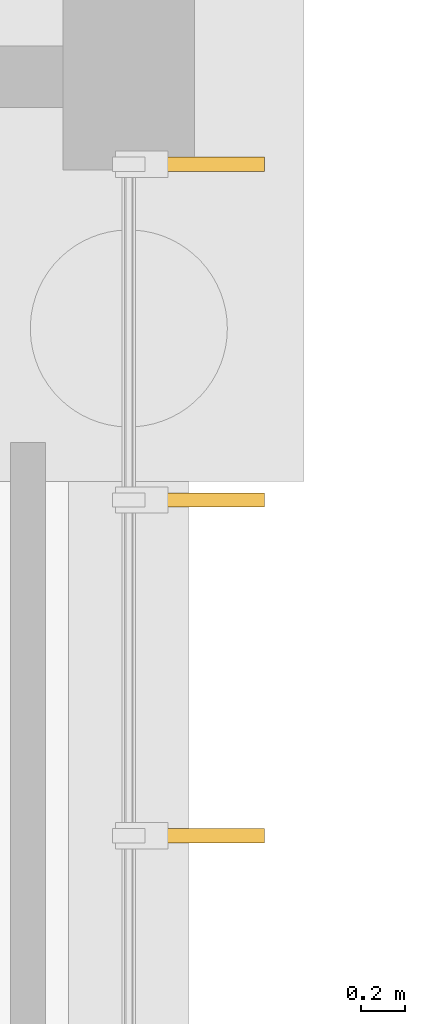
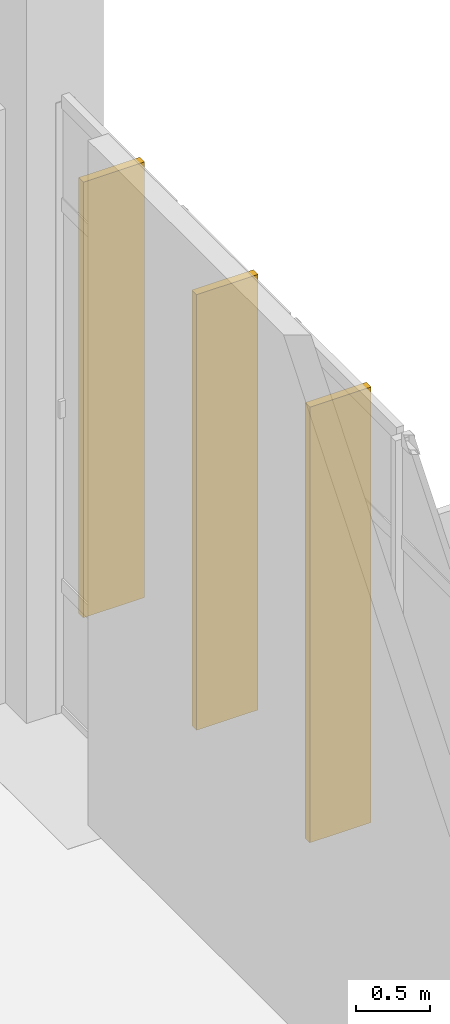
# One storey, part 137 of 140: 3 shading devices.
"""IFC4 building model written with IfcOpenShell, lengths in metres."""

from ifc_helpers import new_model, si_unit, direction, frame, origin, origin_2d, place, context, subcontext, project, spatial, rectangle, extrude, material, type_object, element, save


model = new_model("IFC4")

# Units and contexts
model_context = context("Model", 3, precision=1e-05, world=origin(), true_north=direction((0.0, 1.0)))
body_context = subcontext(model_context, "Body", "Model", "MODEL_VIEW")
ifc_project = project(units=[si_unit("LENGTHUNIT", "METRE"), si_unit("AREAUNIT", "SQUARE_METRE"), si_unit("VOLUMEUNIT", "CUBIC_METRE"), si_unit("PLANEANGLEUNIT", "RADIAN"), si_unit("MASSUNIT", "GRAM", prefix="KILO")], contexts=[model_context])

# Site, building, storey
site_placement = place(None, origin())
site = spatial("IfcSite", under=ifc_project, at=site_placement, CompositionType="ELEMENT")
building_placement = place(site_placement, origin())
building = spatial("IfcBuilding", under=site, at=building_placement, Name="Corvandel Quay Wholesale Market", CompositionType="ELEMENT")
storey_placement = place(building_placement, origin())
storey = spatial("IfcBuildingStorey", under=building, at=storey_placement, Name="L00", CompositionType="ELEMENT", Elevation=0.0)

# Shading devices
ifc_material = material(Name="Bronze anodised extruded aluminium 6063-T6", Category="aluminium")
shading_device_type = type_object("IfcShadingDeviceType", Name="Vertical Anodised Bronze Solar Fin FN01 480mm", PredefinedType="JALOUSIE", material=ifc_material)
for number, where, z_axis, x_axis, name in (
    (1, (248.3798828125, 106.533203125, 0.724853515625), (0.0, 0.0, 1.0), (1.0, 0.0, 0.0), "Solar Fin 0629"),
    (2, (248.3798828125, 108.066650390625, 0.724853515625), (0.0, 0.0, 1.0), (1.0, 0.0, 0.0), "Solar Fin 0630"),
    (3, (248.3798828125, 109.60009765625, 0.724853515625), (0.0, 0.0, 1.0), (1.0, 0.0, 0.0), "Solar Fin 0631"),
):
    element("IfcShadingDevice", number, at=place(storey_placement, frame(where, z_axis=z_axis, x_axis=x_axis)), inside=storey, type_object=shading_device_type, Name=name, PredefinedType="JALOUSIE", context=body_context, shape_type="SweptSolid", body=[
        extrude(rectangle(XDim=0.47998046875, YDim=0.06494140625, at=origin_2d()), origin(), (0.0, 0.0, 1.0), 3.60009765625),
    ])

save(model, "model.ifc")
